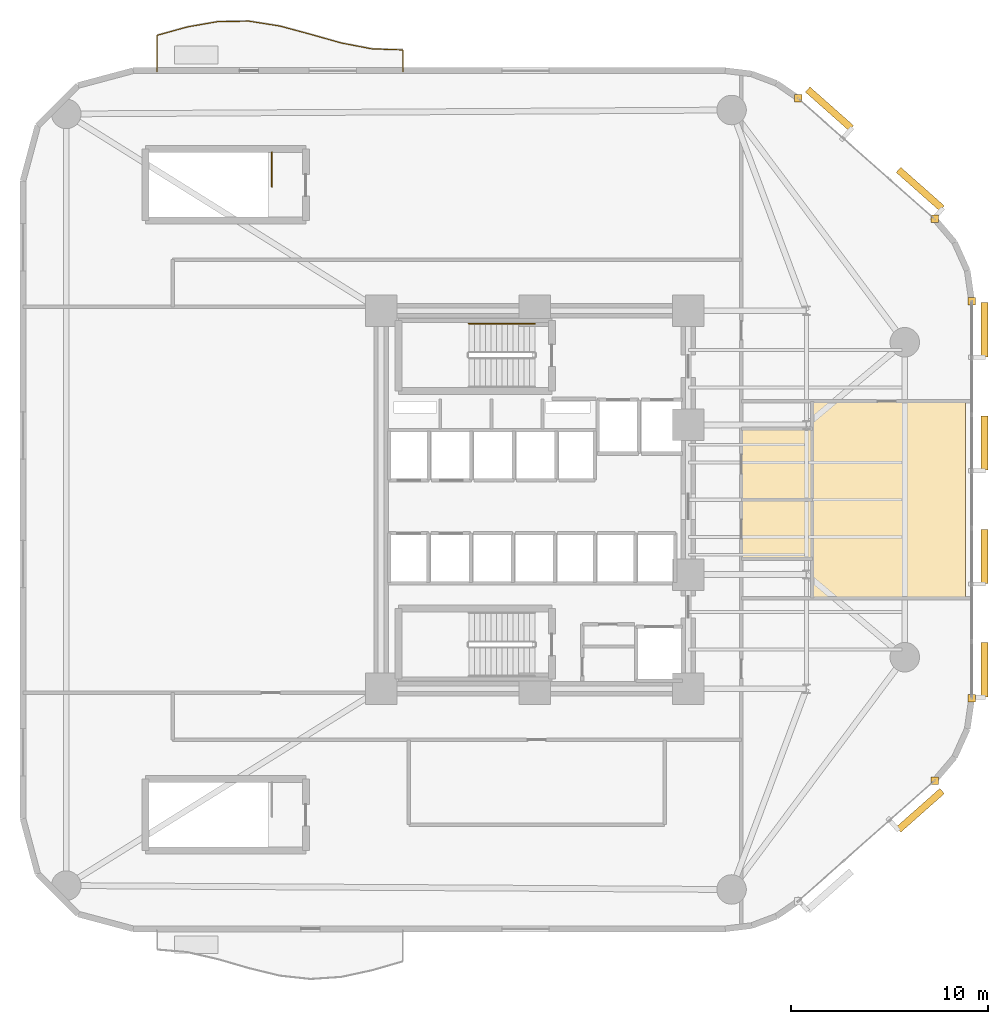
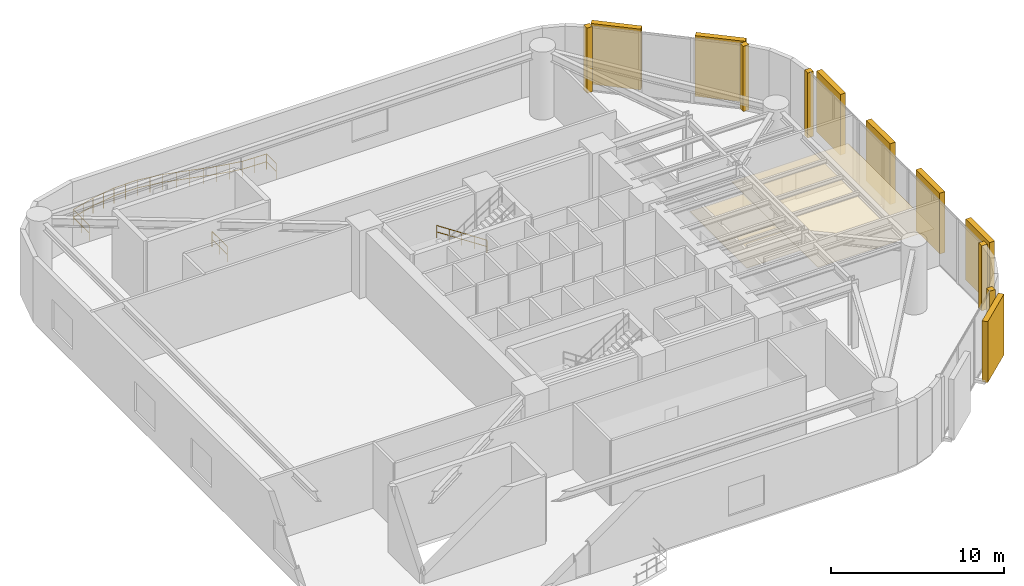
# One storey, part 13 of 13: 8 coverings, 7 shading devices, 3 railings.
"""IFC4 building model written with IfcOpenShell, lengths in metres."""

from ifc_helpers import new_model, si_unit, direction, frame, origin, origin_2d, place, context, subcontext, project, spatial, polyline, rectangle, circle, outline, extrude, material, layer, layer_set, type_object, element, save


model = new_model("IFC4")

# Units and contexts
model_context = context("Model", 3, precision=1e-05, world=origin(), true_north=direction((0.0, 1.0)))
body_context = subcontext(model_context, "Body", "Model", "MODEL_VIEW")
ifc_project = project(units=[si_unit("LENGTHUNIT", "METRE"), si_unit("AREAUNIT", "SQUARE_METRE"), si_unit("VOLUMEUNIT", "CUBIC_METRE"), si_unit("PLANEANGLEUNIT", "RADIAN"), si_unit("MASSUNIT", "GRAM", prefix="KILO")], contexts=[model_context])

# Site, building, storey
site_placement = place(None, origin())
site = spatial("IfcSite", under=ifc_project, at=site_placement, CompositionType="ELEMENT")
building_placement = place(site_placement, origin())
building = spatial("IfcBuilding", under=site, at=building_placement, Name="An Khanh Terracotta Commons", CompositionType="ELEMENT")
storey_placement = place(building_placement, frame((0.0, 0.0, 24.0)))
storey = spatial("IfcBuildingStorey", under=building, at=storey_placement, Name="L06", CompositionType="ELEMENT", Elevation=24.0)

# Coverings
ifc_material_1 = material(Name="Perforated Mineral-Fibre Acoustic Tile")
ifc_layer_1 = layer(ifc_material_1, 0.02001953125, Name="Perforated Mineral-Fibre Acoustic Tile")
ifc_layer_set_1 = layer_set([ifc_layer_1], Name="Perforated Mineral-Fibre Acoustic Tile")
covering_type_1 = type_object("IfcCoveringType", Name="CEIL-ACOUSTIC-18", PredefinedType="CEILING", material=ifc_layer_set_1)
covering_1_placement = place(storey_placement, frame((0.0, 0.0, 2.64990234375)))
element("IfcCovering", 1, at=covering_1_placement, inside=storey, type_object=covering_type_1, Name="L06 Sky Lobby Accessible WC Ceiling", PredefinedType="CEILING", context=body_context, shape_type="SweptSolid", body=[
    extrude(outline(polyline([(39.89990234375, 24.0), (43.5, 24.0), (43.5, 21.0), (39.89990234375, 21.0), (39.89990234375, 24.0)])), origin(), (0.0, 0.0, 1.0), 0.02001953125),
])
covering_2_placement = place(storey_placement, frame((0.0, 0.0, 2.64990234375)))
element("IfcCovering", 2, at=covering_2_placement, inside=storey, type_object=covering_type_1, Name="L06 Sky Lobby Public Restrooms Ceiling", PredefinedType="CEILING", context=body_context, shape_type="SweptSolid", body=[
    extrude(outline(polyline([(39.89990234375, 27.60009765625), (43.5, 27.60009765625), (43.5, 24.0), (39.89990234375, 24.0), (39.89990234375, 27.60009765625)])), origin(), (0.0, 0.0, 1.0), 0.02001953125),
])
covering_3_placement = place(storey_placement, frame((0.0, 0.0, 2.64990234375)))
element("IfcCovering", 3, at=covering_3_placement, inside=storey, type_object=covering_type_1, Name="L06 Z1 Culinary Commons Kitchen Ceiling", PredefinedType="CEILING", context=body_context, shape_type="SweptSolid", body=[
    extrude(outline(polyline([(51.280029296875, 19.0), (43.5, 19.0), (43.5, 21.0), (43.5, 27.60009765625), (43.5, 29.0), (51.280029296875, 29.0), (51.280029296875, 19.0)])), origin(), (0.0, 0.0, 1.0), 0.02001953125),
])
ifc_material_2 = material(Name="Fired Terracotta Rainscreen Cladding", Category="masonry")
ifc_layer_2 = layer(ifc_material_2, 0.080078125, Name="Fired Terracotta Rainscreen Cladding")
ifc_layer_set_2 = layer_set([ifc_layer_2], Name="Fired Terracotta Rainscreen Cladding")
covering_type_2 = type_object("IfcCoveringType", Name="COV-JAMB-TERRA", PredefinedType="CLADDING", material=ifc_layer_set_2)
for number, where, z_axis, x_axis, name in (
    (4, (49.7099609375, 9.72802734375, 0.0), (0.0, 0.0, 1.0), (1.0, 0.0, 0.0), "L06 CW-04 Curtain-Wall Jamb Closure JB"),
    (5, (51.60009765625, 13.923095703125, 0.0), (0.0, 0.0, 1.0), (1.0, 0.0, 0.0), "L06 CW-04 Curtain-Wall Jamb Closure JA"),
    (6, (51.60009765625, 34.076904296875, 0.0), (0.0, 0.0, 1.0), (1.0, 0.0, 0.0), "L06 CW-04 Curtain-Wall Jamb Closure JB"),
    (7, (49.7099609375, 38.27197265625, 0.0), (0.0, 0.0, 1.0), (1.0, 0.0, 0.0), "L06 CW-04 Curtain-Wall Jamb Closure JA"),
    (8, (42.7890625, 44.39404296875, 0.0), (0.0, 0.0, 1.0), (1.0, 0.0, 0.0), "L06 CW-04 Curtain-Wall Jamb Closure JB"),
):
    element("IfcCovering", number, at=place(storey_placement, frame(where, z_axis=z_axis, x_axis=x_axis)), inside=storey, type_object=covering_type_2, Name=name, PredefinedType="CLADDING", context=body_context, shape_type="SweptSolid", body=[
        extrude(rectangle(XDim=0.3798828125, YDim=0.3798828125, at=origin_2d()), origin(), (0.0, 0.0, 1.0), 4.60009765625),
    ])

# Railings
ifc_material_3 = material(Name="Brushed Stainless Steel 316", Category="steel")
railing_type_1 = type_object("IfcRailingType", Name="RAIL-BALUSTRADE-1100", PredefinedType="BALUSTRADE", material=ifc_material_3)
railing_1_placement = place(storey_placement, frame((22.699951171875, 45.739990234375, 0.0)))
element("IfcRailing", 9, at=railing_1_placement, inside=storey, type_object=railing_type_1, Name="L06 N Wave Balcony Guard Balustrade", PredefinedType="BALUSTRADE", context=body_context, shape_type="SweptSolid", body=[
    extrude(circle(Radius=0.02392578125, at=origin_2d()), frame((0.0, 0.0, 1.076171875), z_axis=(0.0, 1.0, 0.0), x_axis=(-1.0, 0.0, 0.0)), (0.0, 0.0, 1.0), 1.114013671875),
    extrude(circle(Radius=0.02392578125, at=origin_2d()), frame((0.0, 0.0, 0.52587890625), z_axis=(0.0, 1.0, 0.0), x_axis=(-1.0, 0.0, 0.0)), (0.0, 0.0, 1.0), 1.114013671875),
    extrude(circle(Radius=0.02392578125, at=origin_2d()), frame((0.0, 1.114013671875, 1.076171875), z_axis=(-0.999487713911, 0.032004839324, 0.0), x_axis=(-0.032004839324, -0.999487713911, 0.0)), (0.0, 0.0, 1.0), 1.563720703125),
    extrude(circle(Radius=0.02392578125, at=origin_2d()), frame((0.0, 1.114013671875, 0.52587890625), z_axis=(-0.999487713911, 0.032004839324, 0.0), x_axis=(-0.032004839324, -0.999487713911, 0.0)), (0.0, 0.0, 1.0), 1.563720703125),
    extrude(circle(Radius=0.02392578125, at=origin_2d()), frame((-1.56298828125, 1.1640625, 1.076171875), z_axis=(-0.982045838822, 0.188642440749, 0.0), x_axis=(-0.188642440749, -0.982045838822, 0.0)), (0.0, 0.0, 1.0), 1.590576171875),
    extrude(circle(Radius=0.02392578125, at=origin_2d()), frame((-1.56298828125, 1.1640625, 0.52587890625), z_axis=(-0.982045838822, 0.188642440749, 0.0), x_axis=(-0.188642440749, -0.982045838822, 0.0)), (0.0, 0.0, 1.0), 1.590576171875),
    extrude(circle(Radius=0.02392578125, at=origin_2d()), frame((-3.125, 1.464111328125, 1.076171875), z_axis=(-0.962437589726, 0.271503012659, 0.0), x_axis=(-0.271503012659, -0.962437589726, 0.0)), (0.0, 0.0, 1.0), 1.6240234375),
    extrude(circle(Radius=0.02392578125, at=origin_2d()), frame((-3.125, 1.464111328125, 0.52587890625), z_axis=(-0.962437589726, 0.271503012659, 0.0), x_axis=(-0.271503012659, -0.962437589726, 0.0)), (0.0, 0.0, 1.0), 1.6240234375),
    extrude(circle(Radius=0.02392578125, at=origin_2d()), frame((-4.68798828125, 1.905029296875, 1.076171875), z_axis=(-0.965560366071, 0.260179129588, 0.0), x_axis=(-0.260179129588, -0.965560366071, 0.0)), (0.0, 0.0, 1.0), 1.61767578125),
    extrude(circle(Radius=0.02392578125, at=origin_2d()), frame((-4.68798828125, 1.905029296875, 0.52587890625), z_axis=(-0.965560366071, 0.260179129588, 0.0), x_axis=(-0.260179129588, -0.965560366071, 0.0)), (0.0, 0.0, 1.0), 1.61767578125),
    extrude(circle(Radius=0.02392578125, at=origin_2d()), frame((-6.25, 2.325927734375, 1.076171875), z_axis=(-0.987735428763, 0.156136871901, 0.0), x_axis=(-0.156136871901, -0.987735428763, 0.0)), (0.0, 0.0, 1.0), 1.582275390625),
    extrude(circle(Radius=0.02392578125, at=origin_2d()), frame((-6.25, 2.325927734375, 0.52587890625), z_axis=(-0.987735428763, 0.156136871901, 0.0), x_axis=(-0.156136871901, -0.987735428763, 0.0)), (0.0, 0.0, 1.0), 1.582275390625),
    extrude(circle(Radius=0.02392578125, at=origin_2d()), frame((-7.81298828125, 2.572998046875, 1.076171875), z_axis=(-0.999940153518, -0.010940264262, 0.0), x_axis=(0.010940264262, -0.999940153518, 0.0)), (0.0, 0.0, 1.0), 1.56201171875),
    extrude(circle(Radius=0.02392578125, at=origin_2d()), frame((-7.81298828125, 2.572998046875, 0.52587890625), z_axis=(-0.999940153518, -0.010940264262, 0.0), x_axis=(0.010940264262, -0.999940153518, 0.0)), (0.0, 0.0, 1.0), 1.56201171875),
    extrude(circle(Radius=0.02392578125, at=origin_2d()), frame((-9.375, 2.555908203125, 1.076171875), z_axis=(-0.9849873305, -0.172626645552, 0.0), x_axis=(0.172626645552, -0.9849873305, 0.0)), (0.0, 0.0, 1.0), 1.5869140625),
    extrude(circle(Radius=0.02392578125, at=origin_2d()), frame((-9.375, 2.555908203125, 0.52587890625), z_axis=(-0.9849873305, -0.172626645552, 0.0), x_axis=(0.172626645552, -0.9849873305, 0.0)), (0.0, 0.0, 1.0), 1.5869140625),
    extrude(circle(Radius=0.02392578125, at=origin_2d()), frame((-10.93798828125, 2.281982421875, 1.076171875), z_axis=(-0.963836645927, -0.266493752211, 0.0), x_axis=(0.266493752211, -0.963836645927, 0.0)), (0.0, 0.0, 1.0), 1.62060546875),
    extrude(circle(Radius=0.02392578125, at=origin_2d()), frame((-10.93798828125, 2.281982421875, 0.52587890625), z_axis=(-0.963836645927, -0.266493752211, 0.0), x_axis=(0.266493752211, -0.963836645927, 0.0)), (0.0, 0.0, 1.0), 1.62060546875),
    extrude(circle(Radius=0.02392578125, at=origin_2d()), frame((-12.5, 1.85009765625, 1.076171875), z_axis=(0.0, -1.0, 0.0), x_axis=(1.0, 0.0, 0.0)), (0.0, 0.0, 1.0), 1.85009765625),
    extrude(circle(Radius=0.02392578125, at=origin_2d()), frame((-12.5, 1.85009765625, 0.52587890625), z_axis=(0.0, -1.0, 0.0), x_axis=(1.0, 0.0, 0.0)), (0.0, 0.0, 1.0), 1.85009765625),
    extrude(circle(Radius=0.02099609375, at=origin_2d()), origin(), (0.0, 0.0, 1.0), 1.052001953125),
    extrude(circle(Radius=0.02099609375, at=origin_2d()), frame((0.0, 1.114013671875, 0.0)), (0.0, 0.0, 1.0), 1.052001953125),
    extrude(circle(Radius=0.02099609375, at=origin_2d()), frame((-0.781494140625, 1.13916015625, 0.0)), (0.0, 0.0, 1.0), 1.052001953125),
    extrude(circle(Radius=0.02099609375, at=origin_2d()), frame((-1.56298828125, 1.1640625, 0.0)), (0.0, 0.0, 1.0), 1.052001953125),
    extrude(circle(Radius=0.02099609375, at=origin_2d()), frame((-2.343994140625, 1.31396484375, 0.0)), (0.0, 0.0, 1.0), 1.052001953125),
    extrude(circle(Radius=0.02099609375, at=origin_2d()), frame((-3.125, 1.464111328125, 0.0)), (0.0, 0.0, 1.0), 1.052001953125),
    extrude(circle(Radius=0.02099609375, at=origin_2d()), frame((-3.906494140625, 1.6845703125, 0.0)), (0.0, 0.0, 1.0), 1.052001953125),
    extrude(circle(Radius=0.02099609375, at=origin_2d()), frame((-4.68798828125, 1.905029296875, 0.0)), (0.0, 0.0, 1.0), 1.052001953125),
    extrude(circle(Radius=0.02099609375, at=origin_2d()), frame((-5.468994140625, 2.115478515625, 0.0)), (0.0, 0.0, 1.0), 1.052001953125),
    extrude(circle(Radius=0.02099609375, at=origin_2d()), frame((-6.25, 2.325927734375, 0.0)), (0.0, 0.0, 1.0), 1.052001953125),
    extrude(circle(Radius=0.02099609375, at=origin_2d()), frame((-7.031494140625, 2.449462890625, 0.0)), (0.0, 0.0, 1.0), 1.052001953125),
    extrude(circle(Radius=0.02099609375, at=origin_2d()), frame((-7.81298828125, 2.572998046875, 0.0)), (0.0, 0.0, 1.0), 1.052001953125),
    extrude(circle(Radius=0.02099609375, at=origin_2d()), frame((-8.593994140625, 2.564453125, 0.0)), (0.0, 0.0, 1.0), 1.052001953125),
    extrude(circle(Radius=0.02099609375, at=origin_2d()), frame((-9.375, 2.555908203125, 0.0)), (0.0, 0.0, 1.0), 1.052001953125),
    extrude(circle(Radius=0.02099609375, at=origin_2d()), frame((-10.156494140625, 2.4189453125, 0.0)), (0.0, 0.0, 1.0), 1.052001953125),
    extrude(circle(Radius=0.02099609375, at=origin_2d()), frame((-10.93798828125, 2.281982421875, 0.0)), (0.0, 0.0, 1.0), 1.052001953125),
    extrude(circle(Radius=0.02099609375, at=origin_2d()), frame((-11.718994140625, 2.06591796875, 0.0)), (0.0, 0.0, 1.0), 1.052001953125),
    extrude(circle(Radius=0.02099609375, at=origin_2d()), frame((-12.5, 1.85009765625, 0.0)), (0.0, 0.0, 1.0), 1.052001953125),
    extrude(circle(Radius=0.02099609375, at=origin_2d()), frame((-12.5, 0.925048828125, 0.0)), (0.0, 0.0, 1.0), 1.052001953125),
    extrude(circle(Radius=0.02099609375, at=origin_2d()), frame((-12.5, 0.0, 0.0)), (0.0, 0.0, 1.0), 1.052001953125),
])
railing_type_2 = type_object("IfcRailingType", Name="RAIL-HANDRAIL-900", PredefinedType="HANDRAIL", material=ifc_material_3)
railing_2_placement = place(storey_placement, frame((29.409912109375, 32.949951171875, 0.1845703125)))
element("IfcRailing", 10, at=railing_2_placement, inside=storey, type_object=railing_type_2, Name="L06 ST-01 stair handrail 1", PredefinedType="HANDRAIL", context=body_context, shape_type="SweptSolid", body=[
    extrude(circle(Radius=0.02392578125, at=origin_2d()), frame((0.0, 0.0, 0.8759765625), z_axis=(-0.834858096282, 0.0, 0.550465220583), x_axis=(0.0, -1.0, 0.0)), (0.0, 0.0, 1.0), 4.0244140625),
    extrude(circle(Radius=0.02392578125, at=origin_2d()), frame((0.0, 0.0, 0.42578125), z_axis=(-0.834858096282, 0.0, 0.550465220583), x_axis=(0.0, -1.0, 0.0)), (0.0, 0.0, 1.0), 4.0244140625),
    extrude(circle(Radius=0.02099609375, at=origin_2d()), origin(), (0.0, 0.0, 1.0), 0.851806640625),
    extrude(circle(Radius=0.02099609375, at=origin_2d()), frame((-0.83984375, 0.0, 0.5537109375)), (0.0, 0.0, 1.0), 0.851806640625),
    extrude(circle(Radius=0.02099609375, at=origin_2d()), frame((-1.679931640625, 0.0, 1.107666015625)), (0.0, 0.0, 1.0), 0.851806640625),
    extrude(circle(Radius=0.02099609375, at=origin_2d()), frame((-2.52001953125, 0.0, 1.66162109375)), (0.0, 0.0, 1.0), 0.851806640625),
    extrude(circle(Radius=0.02099609375, at=origin_2d()), frame((-3.35986328125, 0.0, 2.21533203125)), (0.0, 0.0, 1.0), 0.851806640625),
])
ifc_material_4 = material(Name="Powder-Coated Steel S355J2", Category="steel")
railing_type_3 = type_object("IfcRailingType", Name="RAIL-STAIR-GUARD-1100", PredefinedType="BALUSTRADE", material=ifc_material_4)
railing_3_placement = place(storey_placement, frame((16.050048828125, 41.64990234375, 0.0)))
element("IfcRailing", 11, at=railing_3_placement, inside=storey, type_object=railing_type_3, Name="L06 ST-P2 top well guard 1", PredefinedType="BALUSTRADE", context=body_context, shape_type="SweptSolid", body=[
    extrude(circle(Radius=0.02392578125, at=origin_2d()), frame((0.0, 0.0, 1.076171875), z_axis=(0.0, -1.0, 0.0), x_axis=(1.0, 0.0, 0.0)), (0.0, 0.0, 1.0), 1.75),
    extrude(circle(Radius=0.02392578125, at=origin_2d()), frame((0.0, 0.0, 0.52587890625), z_axis=(0.0, -1.0, 0.0), x_axis=(1.0, 0.0, 0.0)), (0.0, 0.0, 1.0), 1.75),
    extrude(circle(Radius=0.02099609375, at=origin_2d()), origin(), (0.0, 0.0, 1.0), 1.052001953125),
    extrude(circle(Radius=0.02099609375, at=origin_2d()), frame((0.0, -0.875, 0.0)), (0.0, 0.0, 1.0), 1.052001953125),
    extrude(circle(Radius=0.02099609375, at=origin_2d()), frame((0.0, -1.75, 0.0)), (0.0, 0.0, 1.0), 1.052001953125),
])

# Shading devices
ifc_material_5 = material(Name="Extruded Fired Terracotta", Category="masonry")
shading_device_type = type_object("IfcShadingDeviceType", Name="Terracotta Baguette Screen Assembly", PredefinedType="USERDEFINED", material=ifc_material_5)
shading_device_placement = place(storey_placement, frame((48.987060546875, 8.220947265625, 0.14990234375), z_axis=(0.0, 0.0, 1.0), x_axis=(0.749019284633, 0.662548195415, 0.0)))
element("IfcShadingDevice", 12, at=shading_device_placement, inside=storey, type_object=shading_device_type, Name="L06 Terracotta Baguette Screen 3", ObjectType="BAGUETTE", PredefinedType="USERDEFINED", context=body_context, shape_type="SweptSolid", body=[
    extrude(rectangle(XDim=2.9599609375, YDim=0.35009765625, at=origin_2d()), origin(), (0.0, 0.0, 1.0), 4.300048828125),
])
for number, where, z_axis, x_axis, name in (
    (13, (52.25, 15.363037109375, 0.14990234375), (0.0, 0.0, 1.0), (0.0, 1.0, 0.0), "L06 Terracotta Baguette Screen 1"),
    (14, (52.25, 21.12109375, 0.14990234375), (0.0, 0.0, 1.0), (0.0, 1.0, 0.0), "L06 Terracotta Baguette Screen 3"),
    (15, (52.25, 26.87890625, 0.14990234375), (0.0, 0.0, 1.0), (0.0, 1.0, 0.0), "L06 Terracotta Baguette Screen 5"),
    (16, (52.25, 32.636962890625, 0.14990234375), (0.0, 0.0, 1.0), (0.0, 1.0, 0.0), "L06 Terracotta Baguette Screen 7"),
):
    element("IfcShadingDevice", number, at=place(storey_placement, frame(where, z_axis=z_axis, x_axis=x_axis)), inside=storey, type_object=shading_device_type, Name=name, ObjectType="BAGUETTE", PredefinedType="USERDEFINED", context=body_context, shape_type="SweptSolid", body=[
        extrude(rectangle(XDim=2.759033203125, YDim=0.35009765625, at=origin_2d()), origin(), (0.0, 0.0, 1.0), 4.300048828125),
    ])
for number, where, z_axis, x_axis, name in (
    (17, (48.987060546875, 39.779052734375, 0.14990234375), (0.0, 0.0, 1.0), (-0.749019284633, 0.662548195415, 0.0), "L06 Terracotta Baguette Screen 1"),
    (18, (44.373046875, 43.861083984375, 0.14990234375), (0.0, 0.0, 1.0), (-0.749019284633, 0.662548195415, 0.0), "L06 Terracotta Baguette Screen 3"),
):
    element("IfcShadingDevice", number, at=place(storey_placement, frame(where, z_axis=z_axis, x_axis=x_axis)), inside=storey, type_object=shading_device_type, Name=name, ObjectType="BAGUETTE", PredefinedType="USERDEFINED", context=body_context, shape_type="SweptSolid", body=[
        extrude(rectangle(XDim=2.9599609375, YDim=0.35009765625, at=origin_2d()), origin(), (0.0, 0.0, 1.0), 4.300048828125),
    ])

save(model, "model.ifc")
